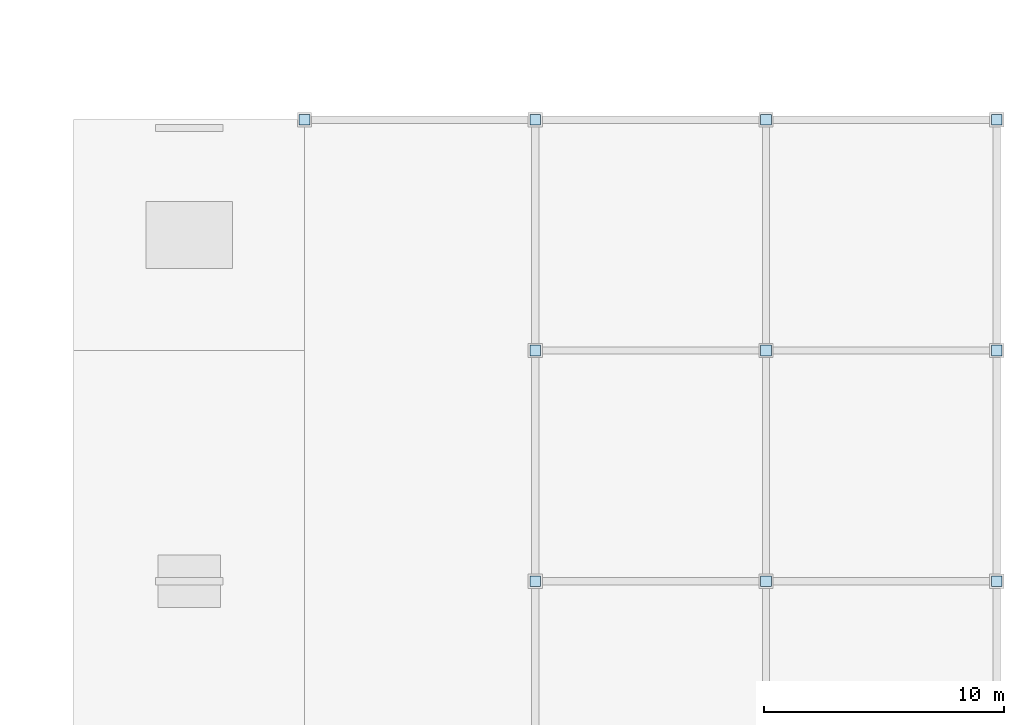
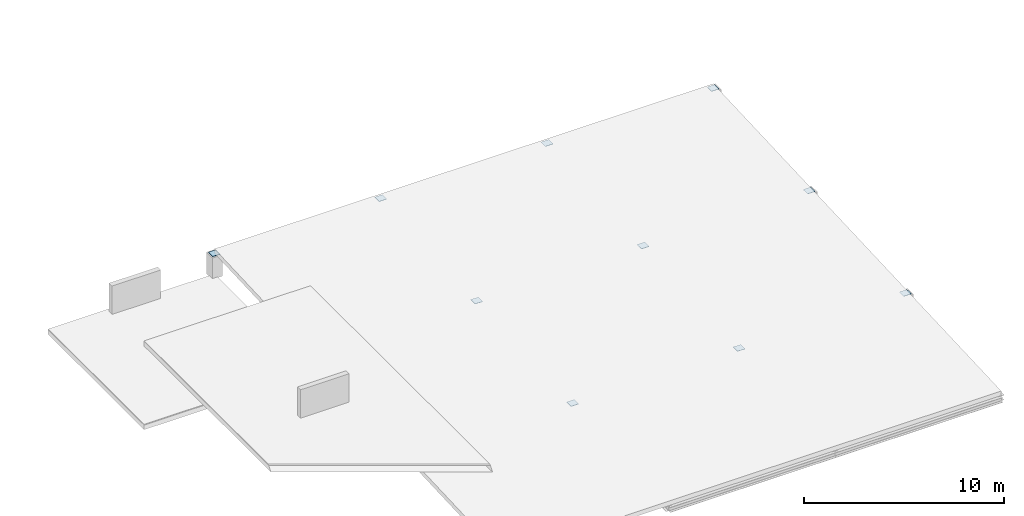
# One storey, part 59 of 70: 10 plates.
"""IFC4 building model written with IfcOpenShell, lengths in metres."""

import ifcopenshell
import ifcopenshell.guid

model = None  # the IFC model being written
_history = None  # IfcOwnerHistory: only IFC2X3 demands one
_inside = {}  # id of a spatial element -> (the spatial element, [elements in it])
_under = {}  # id of a project, library or spatial element -> (it, [spatial elements below it])
_declared = {}  # id of a project -> (the project, [libraries it declares])
_typed = {}  # id of a type object -> (the type object, [elements of that type])
_made_of = {}  # id of a material, layer set ... -> (it, [elements and type objects made of it])


def new_model(schema):
    """Start an empty IFC model of exactly this schema.

    Asked for "IFC4X3", IfcOpenShell would pick the latest addendum, in which some entities
    have other attributes; the version numbers below select the first issue.
    IFC2X3 requires an IfcOwnerHistory on every rooted entity: one is made here for all.
    """
    global model, _history
    if schema == "IFC4X3":
        model = ifcopenshell.file(schema_version=(4, 3, 0, 0))
    else:
        model = ifcopenshell.file(schema=schema)
    _inside.clear()
    _under.clear()
    _declared.clear()
    _typed.clear()
    _made_of.clear()
    _history = None
    if model.schema == "IFC2X3":
        org = make("IfcOrganization", Name="unknown")
        user = make(
            "IfcPersonAndOrganization",
            ThePerson=make("IfcPerson", FamilyName="unknown"),
            TheOrganization=org,
        )
        app = make(
            "IfcApplication",
            ApplicationDeveloper=org,
            Version="unknown",
            ApplicationFullName="unknown",
            ApplicationIdentifier="unknown",
        )
        _history = make(
            "IfcOwnerHistory",
            OwningUser=user,
            OwningApplication=app,
            ChangeAction="ADDED",
            CreationDate=0,
        )
    return model


def make(cls, **values):
    """One entity of the class cls with the attributes given. An attribute that is None is left unset."""
    return model.create_entity(
        cls, **{name: value for name, value in values.items() if value is not None}
    )


def rooted(cls, **values):
    """An entity with a GlobalId (a new one), such as an element, a storey or a relation."""
    return make(cls, GlobalId=ifcopenshell.guid.new(), OwnerHistory=_history, **values)


def si_unit(unit_type, name, prefix=None):
    """IfcSIUnit, for example si_unit("LENGTHUNIT", "METRE", prefix="MILLI")."""
    return make("IfcSIUnit", UnitType=unit_type, Prefix=prefix, Name=name)


def assignment(units):
    """IfcUnitAssignment: the units of a project."""
    return None if units is None else make("IfcUnitAssignment", Units=units)


def point(xyz):
    """IfcCartesianPoint."""
    return None if xyz is None else make("IfcCartesianPoint", Coordinates=xyz)


def direction(xyz):
    """IfcDirection."""
    return None if xyz is None else make("IfcDirection", DirectionRatios=xyz)


def frame(location, z_axis=None, x_axis=None):
    """IfcAxis2Placement3D, a coordinate frame: its origin and axes. An axis left out is left unset."""
    return make(
        "IfcAxis2Placement3D",
        Location=point(location),
        Axis=direction(z_axis),
        RefDirection=direction(x_axis),
    )


def frame_2d(location, x_axis=None):
    """IfcAxis2Placement2D, a coordinate frame in the plane: its origin and x axis."""
    return make(
        "IfcAxis2Placement2D", Location=point(location), RefDirection=direction(x_axis)
    )


def origin():
    """The frame at (0, 0, 0) with its axes left unset."""
    return frame((0.0, 0.0, 0.0))


def origin_2d():
    """The frame at (0, 0) in the plane with its x axis left unset."""
    return frame_2d((0.0, 0.0))


def place(relative_to, where):
    """IfcLocalPlacement: puts the frame where relative to a parent placement (None: the world)."""
    return make(
        "IfcLocalPlacement", PlacementRelTo=relative_to, RelativePlacement=where
    )


def context(
    kind, dimensions, precision=None, world=None, true_north=None, identifier=None
):
    """IfcGeometricRepresentationContext, for example the 3D "Model" context."""
    return make(
        "IfcGeometricRepresentationContext",
        ContextIdentifier=identifier,
        ContextType=kind,
        CoordinateSpaceDimension=dimensions,
        Precision=precision,
        WorldCoordinateSystem=world,
        TrueNorth=true_north,
    )


def subcontext(parent, identifier, kind, view, scale=None):
    """IfcGeometricRepresentationSubContext, for example "Body" below "Model"."""
    return make(
        "IfcGeometricRepresentationSubContext",
        ContextIdentifier=identifier,
        ContextType=kind,
        ParentContext=parent,
        TargetScale=scale,
        TargetView=view,
    )


def project(units=None, contexts=None):
    """IfcProject with its units and contexts."""
    return rooted(
        "IfcProject",
        Name="project",
        RepresentationContexts=contexts,
        UnitsInContext=assignment(units),
    )


def spatial(cls, under=None, at=None, **own):
    """A site, building, storey or space (cls), placed at a placement, below another one or the project."""
    s = rooted(cls, ObjectPlacement=at, **own)
    if under is not None:
        _under.setdefault(under.id(), (under, []))[1].append(s)
    return s


def profile(cls, at=None, kind="AREA", **sizes):
    """A parametric profile (cls). Its sizes go by their IFC names, for example OverallWidth=200.0."""
    return make(cls, ProfileType=kind, Position=at, **sizes)


def rectangle(**sizes):
    """IfcRectangleProfileDef."""
    return profile("IfcRectangleProfileDef", **sizes)


def extrude(swept, where, along, depth):
    """IfcExtrudedAreaSolid: the profile swept, set in the frame where, extruded along a direction by depth."""
    return make(
        "IfcExtrudedAreaSolid",
        SweptArea=swept,
        Position=where,
        ExtrudedDirection=direction(along),
        Depth=depth,
    )


def shape(context_of_items, identifier, shape_type, items):
    """IfcShapeRepresentation: the items that make up one representation, for example the "Body"."""
    return make(
        "IfcShapeRepresentation",
        ContextOfItems=context_of_items,
        RepresentationIdentifier=identifier,
        RepresentationType=shape_type,
        Items=items,
    )


def material(Name=None, Category=None):
    """IfcMaterial."""
    return make("IfcMaterial", Name=Name, Category=Category)


def layer(
    of_material, thickness, ventilated=None, Name=None, Category=None, Priority=None
):
    """IfcMaterialLayer: one layer of a wall or slab, of a material (None: an air gap)."""
    return make(
        "IfcMaterialLayer",
        Material=of_material,
        LayerThickness=thickness,
        IsVentilated=ventilated,
        Name=Name,
        Category=Category,
        Priority=Priority,
    )


def layer_set(layers, Name=None):
    """IfcMaterialLayerSet."""
    return make("IfcMaterialLayerSet", MaterialLayers=layers, LayerSetName=Name)


def made_of(thing, what):
    """Note that an element or type object is made of a material, layer set ...; save() writes the relation."""
    if what is not None:
        _made_of.setdefault(what.id(), (what, []))[1].append(thing)
    return thing


def type_object(cls, material=None, **own):
    """A type object (cls), such as IfcWallType, which elements share."""
    return made_of(rooted(cls, **own), material)


def element(
    cls,
    number,
    at=None,
    inside=None,
    cuts=None,
    type_object=None,
    material=None,
    context=None,
    identifier="Body",
    shape_type=None,
    held_by="IfcProductDefinitionShape",
    body=None,
    shapes=None,
    **own,
):
    """One element of the class cls, such as IfcWall. Its Tag is "e" and its number.

    at: its placement. inside: the storey or other place that contains it. cuts: it is an
    opening in that element (IfcRelVoidsElement). A single representation is given by context,
    identifier, shape_type and body (its items); several are given by shapes. held_by: the class
    of the entity that holds the representations. save() writes the other relations.
    """
    e = rooted(cls, Tag="e%d" % number, ObjectPlacement=at, **own)
    if body is not None:
        shapes = [shape(context, identifier, shape_type, body)]
    if shapes is not None:
        e.Representation = make(held_by, Representations=shapes)
    if inside is not None:
        _inside.setdefault(inside.id(), (inside, []))[1].append(e)
    if cuts is not None:
        rooted(
            "IfcRelVoidsElement", RelatingBuildingElement=cuts, RelatedOpeningElement=e
        )
    if type_object is not None:
        _typed.setdefault(type_object.id(), (type_object, []))[1].append(e)
    return made_of(e, material)


def aggregate(whole, parts):
    """IfcRelAggregates: a whole, such as a stair, and the parts it consists of."""
    return rooted("IfcRelAggregates", RelatingObject=whole, RelatedObjects=parts)


def save(model, path):
    """Write the relations noted so far, then the file.

    IfcRelAggregates (storeys below a building ...), IfcRelContainedInSpatialStructure (elements
    in a storey), IfcRelDefinesByType, IfcRelAssociatesMaterial and IfcRelDeclares: one each for
    every whole, place, type object, material and project.
    """
    for whole, parts in _under.values():
        aggregate(whole, parts)
    for where, things in _inside.values():
        rooted(
            "IfcRelContainedInSpatialStructure",
            RelatedElements=things,
            RelatingStructure=where,
        )
    for kind, things in _typed.values():
        rooted("IfcRelDefinesByType", RelatedObjects=things, RelatingType=kind)
    for what, things in _made_of.values():
        rooted("IfcRelAssociatesMaterial", RelatedObjects=things, RelatingMaterial=what)
    for by, libraries in _declared.values():
        rooted("IfcRelDeclares", RelatingContext=by, RelatedDefinitions=libraries)
    model.write(path)


model = new_model("IFC4")

# Units and contexts
model_context = context("Model", 3, precision=1e-05, world=origin(), true_north=direction((0.0, 1.0)))
body_context = subcontext(model_context, "Body", "Model", "MODEL_VIEW")
ifc_project = project(units=[si_unit("LENGTHUNIT", "METRE"), si_unit("AREAUNIT", "SQUARE_METRE"), si_unit("VOLUMEUNIT", "CUBIC_METRE"), si_unit("PLANEANGLEUNIT", "RADIAN"), si_unit("MASSUNIT", "GRAM", prefix="KILO")], contexts=[model_context])

# Site, building, storey
site_placement = place(None, origin())
site = spatial("IfcSite", under=ifc_project, at=site_placement, CompositionType="ELEMENT")
building_placement = place(site_placement, origin())
building = spatial("IfcBuilding", under=site, at=building_placement, Name="Mavantir Sound Aquarium", CompositionType="ELEMENT")
storey_placement = place(building_placement, frame((0.0, 0.0, 27.0)))
storey = spatial("IfcBuildingStorey", under=building, at=storey_placement, Name="RF", CompositionType="ELEMENT", Elevation=27.0)

# Plates
ifc_material = material(Name="Structural Steel ASTM A572 Gr50", Category="steel")
ifc_layer = layer(ifc_material, 0.02001953125, Name="Structural Steel ASTM A572 Gr50")
ifc_layer_set = layer_set([ifc_layer], Name="Structural Steel ASTM A572 Gr50")
plate_type = type_object("IfcPlateType", Name="PLT-ENDCAP-20", PredefinedType="SHEET", material=ifc_layer_set)
for number, where, z_axis, x_axis, name in (
    (1, (146.39990234375, 28.800048828125, -20.300048828125), (0.0, 0.0, 1.0), (1.0, 0.0, 0.0), "Pavilion roof post cap 58"),
    (2, (156.0, 9.60009765625, -21.166748046875), (0.0, 0.0, 1.0), (1.0, 0.0, 0.0), "Pavilion roof post cap 59"),
    (3, (156.0, 19.199951171875, -20.7333984375), (0.0, 0.0, 1.0), (1.0, 0.0, 0.0), "Pavilion roof post cap 60"),
    (4, (156.0, 28.800048828125, -20.300048828125), (0.0, 0.0, 1.0), (1.0, 0.0, 0.0), "Pavilion roof post cap 61"),
    (5, (165.60009765625, 9.60009765625, -21.166748046875), (0.0, 0.0, 1.0), (1.0, 0.0, 0.0), "Pavilion roof post cap 62"),
    (6, (165.60009765625, 19.199951171875, -20.7333984375), (0.0, 0.0, 1.0), (1.0, 0.0, 0.0), "Pavilion roof post cap 63"),
    (7, (165.60009765625, 28.800048828125, -20.300048828125), (0.0, 0.0, 1.0), (1.0, 0.0, 0.0), "Pavilion roof post cap 64"),
    (8, (175.199951171875, 9.60009765625, -21.166748046875), (0.0, 0.0, 1.0), (1.0, 0.0, 0.0), "Pavilion roof post cap 65"),
    (9, (175.199951171875, 19.199951171875, -20.7333984375), (0.0, 0.0, 1.0), (1.0, 0.0, 0.0), "Pavilion roof post cap 66"),
    (10, (175.199951171875, 28.800048828125, -20.300048828125), (0.0, 0.0, 1.0), (1.0, 0.0, 0.0), "Pavilion roof post cap 67"),
):
    element("IfcPlate", number, at=place(storey_placement, frame(where, z_axis=z_axis, x_axis=x_axis)), inside=storey, type_object=plate_type, Name=name, PredefinedType="SHEET", context=body_context, shape_type="SweptSolid", body=[
        extrude(rectangle(XDim=0.43994140625, YDim=0.43994140625, at=origin_2d()), origin(), (0.0, 0.0, 1.0), 0.02001953125),
    ])

save(model, "model.ifc")
